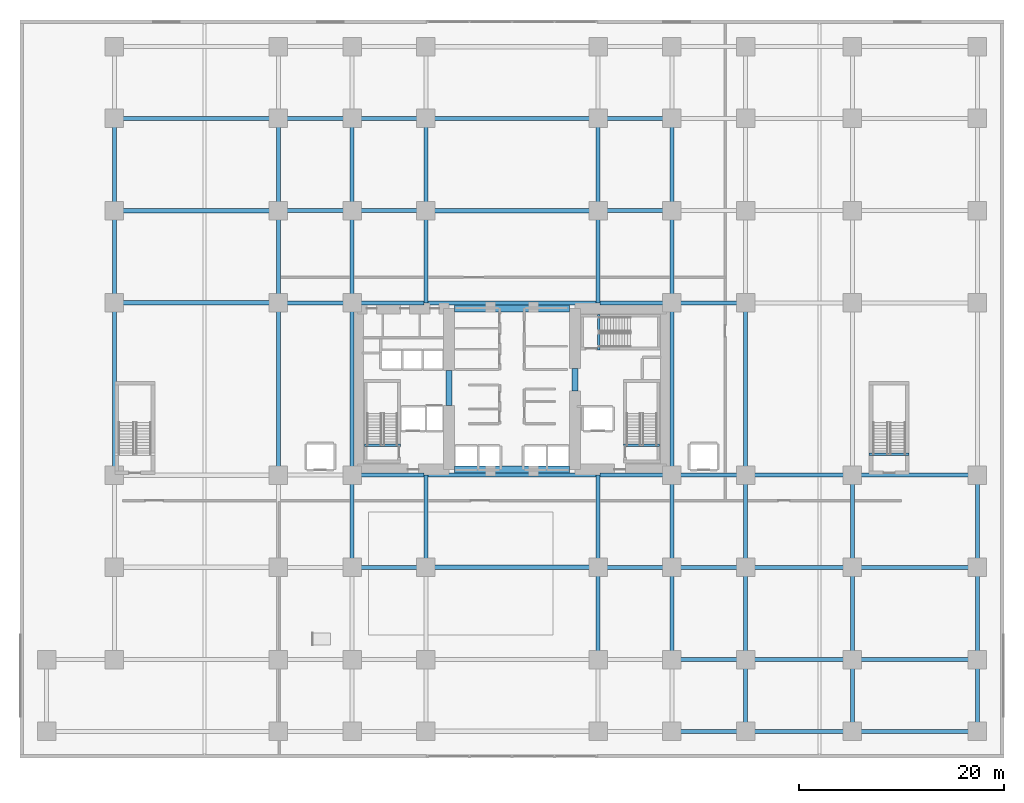
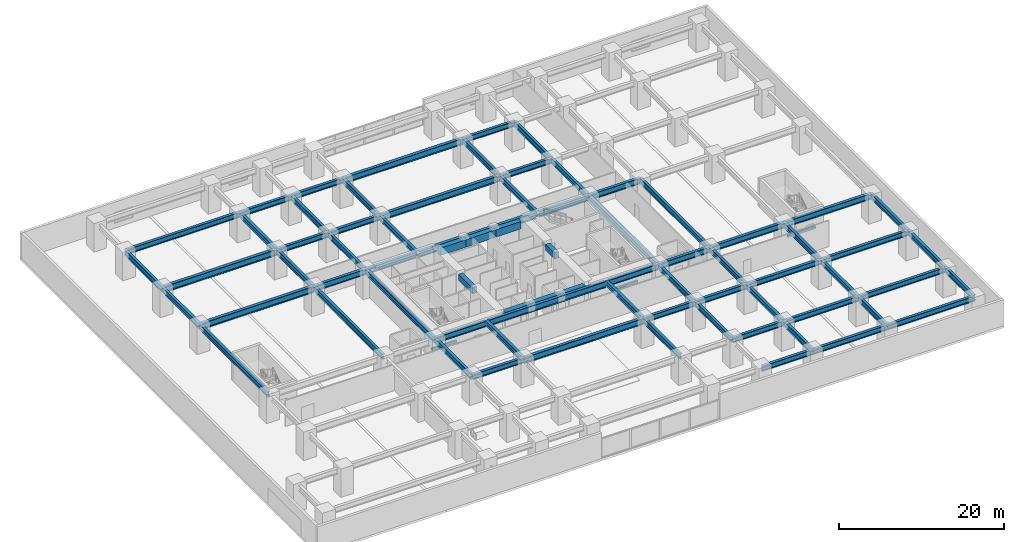
# One storey, part 5 of 22: 78 beams.
"""IFC4 building model written with IfcOpenShell, lengths in metres."""

from ifc_helpers import new_model, si_unit, direction, frame, origin, origin_2d, place, context, subcontext, project, spatial, rectangle, i_section, extrude, material, material_profile, profile_set, type_object, element, save


model = new_model("IFC4")

# Units and contexts
model_context = context("Model", 3, precision=1e-05, world=origin(), true_north=direction((0.0, 1.0)))
body_context = subcontext(model_context, "Body", "Model", "MODEL_VIEW")
ifc_project = project(units=[si_unit("LENGTHUNIT", "METRE"), si_unit("AREAUNIT", "SQUARE_METRE"), si_unit("VOLUMEUNIT", "CUBIC_METRE"), si_unit("PLANEANGLEUNIT", "RADIAN"), si_unit("MASSUNIT", "GRAM", prefix="KILO")], contexts=[model_context])

# Site, building, storey
site_placement = place(None, origin())
site = spatial("IfcSite", under=ifc_project, at=site_placement, CompositionType="ELEMENT")
building_placement = place(site_placement, origin())
building = spatial("IfcBuilding", under=site, at=building_placement, Name="Kiyonajd Concourse Tower", CompositionType="ELEMENT")
storey_placement = place(building_placement, frame((0.0, 0.0, 12.89990234375)))
storey = spatial("IfcBuildingStorey", under=building, at=storey_placement, Name="L04", CompositionType="ELEMENT", Elevation=12.89990234375)

# Beams
ifc_material_1 = material(Name="Steel ASTM A992 Grade 50", Category="steel")
ifc_material_profile_1 = material_profile(ifc_material_1, i_section(OverallWidth=0.423095703125, OverallDepth=0.93310546875, WebThickness=0.02392578125, FlangeThickness=0.042724609375, at=origin_2d()), Name="W920X446")
ifc_profile_set_1 = profile_set([ifc_material_profile_1], Name="Steel ASTM A992 Grade 50")
beam_type_1 = type_object("IfcBeamType", Name="BM-AUD-920A", PredefinedType="BEAM", material=ifc_profile_set_1)
for number, where, z_axis, x_axis, name in (
    (1, (9.199951171875, 44.39990234375, 3.37353515625), (1.0, 0.0, 0.0), (0.0, 1.0, 0.0), "L04 Auditorium Clear Span Girder"),
    (2, (9.199951171875, 53.39990234375, 3.37353515625), (1.0, 0.0, 0.0), (0.0, 1.0, 0.0), "L04 Auditorium Clear Span Girder"),
):
    element("IfcBeam", number, at=place(storey_placement, frame(where, z_axis=z_axis, x_axis=x_axis)), inside=storey, type_object=beam_type_1, Name=name, PredefinedType="BEAM", context=body_context, shape_type="SweptSolid", body=[
        extrude(i_section(OverallWidth=0.423095703125, OverallDepth=0.93310546875, WebThickness=0.02392578125, FlangeThickness=0.042724609375, at=origin_2d()), origin(), (0.0, 0.0, 1.0), 16.0),
    ])
ifc_material_profile_2 = material_profile(ifc_material_1, i_section(OverallWidth=0.41796875, OverallDepth=0.912109375, WebThickness=0.019287109375, FlangeThickness=0.031982421875, at=origin_2d()), Name="W920X342")
ifc_profile_set_2 = profile_set([ifc_material_profile_2], Name="Steel ASTM A992 Grade 50")
beam_type_2 = type_object("IfcBeamType", Name="BM-CON-920B", PredefinedType="BEAM", material=ifc_profile_set_2)
beam_1_placement = place(storey_placement, frame((39.60009765625, 18.60009765625, 3.384033203125), z_axis=(1.0, 0.0, 0.0), x_axis=(0.0, 1.0, 0.0)))
element("IfcBeam", 3, at=beam_1_placement, inside=storey, type_object=beam_type_2, Name="L04 Concourse Clear Span Girder", PredefinedType="BEAM", context=body_context, shape_type="SweptSolid", body=[
    extrude(i_section(OverallWidth=0.41796875, OverallDepth=0.912109375, WebThickness=0.019287109375, FlangeThickness=0.031982421875, at=origin_2d()), origin(), (0.0, 0.0, 1.0), 16.7998046875),
])
for number, where, z_axis, x_axis, name in (
    (4, (39.79052734375, 27.60009765625, 3.384033203125), (1.0, 0.0, 0.0), (0.0, 1.0, 0.0), "L04 Concourse Clear Span Girder"),
    (5, (39.79052734375, 44.39990234375, 3.384033203125), (1.0, 0.0, 0.0), (0.0, 1.0, 0.0), "L04 Concourse Clear Span Girder"),
):
    element("IfcBeam", number, at=place(storey_placement, frame(where, z_axis=z_axis, x_axis=x_axis)), inside=storey, type_object=beam_type_2, Name=name, PredefinedType="BEAM", context=body_context, shape_type="SweptSolid", body=[
        extrude(i_section(OverallWidth=0.41796875, OverallDepth=0.912109375, WebThickness=0.019287109375, FlangeThickness=0.031982421875, at=origin_2d()), origin(), (0.0, 0.0, 1.0), 16.4189453125),
    ])
for number, where, z_axis, x_axis, name in (
    (6, (39.60009765625, 53.39990234375, 3.384033203125), (1.0, 0.0, 0.0), (0.0, 1.0, 0.0), "L04 Concourse Clear Span Girder"),
    (7, (39.60009765625, 62.39990234375, 3.384033203125), (1.0, 0.0, 0.0), (0.0, 1.0, 0.0), "L04 Concourse Clear Span Girder"),
):
    element("IfcBeam", number, at=place(storey_placement, frame(where, z_axis=z_axis, x_axis=x_axis)), inside=storey, type_object=beam_type_2, Name=name, PredefinedType="BEAM", context=body_context, shape_type="SweptSolid", body=[
        extrude(i_section(OverallWidth=0.41796875, OverallDepth=0.912109375, WebThickness=0.019287109375, FlangeThickness=0.031982421875, at=origin_2d()), origin(), (0.0, 0.0, 1.0), 16.7998046875),
    ])
ifc_material_2 = material(Name="Concrete C70/85", Category="concrete")
ifc_material_profile_3 = material_profile(ifc_material_2, rectangle(XDim=0.699951171875, YDim=1.10009765625, at=origin_2d()), Name="RCBM-700x1100")
ifc_profile_set_3 = profile_set([ifc_material_profile_3], Name="Concrete C70/85")
beam_type_3 = type_object("IfcBeamType", Name="BM-COUP-1100", PredefinedType="LINTEL", material=ifc_profile_set_3)
beam_2_placement = place(storey_placement, frame((42.39990234375, 28.14990234375, 3.2900390625), z_axis=(1.0, 0.0, 0.0), x_axis=(0.0, 1.0, 0.0)))
element("IfcBeam", 8, at=beam_2_placement, inside=storey, type_object=beam_type_3, Name="L04 Core Coupling Beam S1", PredefinedType="LINTEL", context=body_context, shape_type="SweptSolid", body=[
    extrude(rectangle(XDim=0.699951171875, YDim=1.10009765625, at=origin_2d()), origin(), (0.0, 0.0, 1.0), 3.5),
])
beam_3_placement = place(storey_placement, frame((45.89990234375, 28.14990234375, 3.2900390625), z_axis=(1.0, 0.0, 0.0), x_axis=(0.0, 1.0, 0.0)))
element("IfcBeam", 9, at=beam_3_placement, inside=storey, type_object=beam_type_3, Name="L04 Core Coupling Beam S2", PredefinedType="LINTEL", context=body_context, shape_type="SweptSolid", body=[
    extrude(rectangle(XDim=0.699951171875, YDim=1.10009765625, at=origin_2d()), origin(), (0.0, 0.0, 1.0), 4.2001953125),
])
for number, where, z_axis, x_axis, name in (
    (10, (50.10009765625, 28.14990234375, 3.2900390625), (1.0, 0.0, 0.0), (0.0, 1.0, 0.0), "L04 Core Coupling Beam S3"),
    (11, (42.39990234375, 43.85009765625, 3.2900390625), (1.0, 0.0, 0.0), (0.0, 1.0, 0.0), "L04 Core Coupling Beam N1"),
):
    element("IfcBeam", number, at=place(storey_placement, frame(where, z_axis=z_axis, x_axis=x_axis)), inside=storey, type_object=beam_type_3, Name=name, PredefinedType="LINTEL", context=body_context, shape_type="SweptSolid", body=[
        extrude(rectangle(XDim=0.699951171875, YDim=1.10009765625, at=origin_2d()), origin(), (0.0, 0.0, 1.0), 3.5),
    ])
beam_4_placement = place(storey_placement, frame((45.89990234375, 43.85009765625, 3.2900390625), z_axis=(1.0, 0.0, 0.0), x_axis=(0.0, 1.0, 0.0)))
element("IfcBeam", 12, at=beam_4_placement, inside=storey, type_object=beam_type_3, Name="L04 Core Coupling Beam N2", PredefinedType="LINTEL", context=body_context, shape_type="SweptSolid", body=[
    extrude(rectangle(XDim=0.699951171875, YDim=1.10009765625, at=origin_2d()), origin(), (0.0, 0.0, 1.0), 4.2001953125),
])
beam_5_placement = place(storey_placement, frame((50.10009765625, 43.85009765625, 3.2900390625), z_axis=(1.0, 0.0, 0.0), x_axis=(0.0, 1.0, 0.0)))
element("IfcBeam", 13, at=beam_5_placement, inside=storey, type_object=beam_type_3, Name="L04 Core Coupling Beam N3", PredefinedType="LINTEL", context=body_context, shape_type="SweptSolid", body=[
    extrude(rectangle(XDim=0.699951171875, YDim=1.10009765625, at=origin_2d()), origin(), (0.0, 0.0, 1.0), 3.5),
])
ifc_material_3 = material(Name="Concrete C60/75", Category="concrete")
ifc_material_profile_4 = material_profile(ifc_material_3, rectangle(XDim=0.60009765625, YDim=0.89990234375, at=origin_2d()), Name="RCBM-600x900")
ifc_profile_set_4 = profile_set([ifc_material_profile_4], Name="Concrete C60/75")
beam_type_4 = type_object("IfcBeamType", Name="BM-COUP-900", PredefinedType="LINTEL", material=ifc_profile_set_4)
beam_6_placement = place(storey_placement, frame((41.85009765625, 34.39990234375, 3.2900390625), z_axis=(0.0, 1.0, 0.0), x_axis=(-1.0, 0.0, 0.0)))
element("IfcBeam", 14, at=beam_6_placement, inside=storey, type_object=beam_type_4, Name="L04 West Core Throat Coupling Lintel", PredefinedType="LINTEL", context=body_context, shape_type="SweptSolid", body=[
    extrude(rectangle(XDim=0.60009765625, YDim=0.89990234375, at=origin_2d()), origin(), (0.0, 0.0, 1.0), 3.400146484375),
])
beam_7_placement = place(storey_placement, frame((54.14990234375, 35.800048828125, 3.2900390625), z_axis=(0.0, 1.0, 0.0), x_axis=(-1.0, 0.0, 0.0)))
element("IfcBeam", 15, at=beam_7_placement, inside=storey, type_object=beam_type_4, Name="L04 East Core Throat Coupling Lintel", PredefinedType="LINTEL", context=body_context, shape_type="SweptSolid", body=[
    extrude(rectangle(XDim=0.60009765625, YDim=0.89990234375, at=origin_2d()), origin(), (0.0, 0.0, 1.0), 2.199951171875),
])
ifc_material_4 = material(Name="Concrete C50/60", Category="concrete")
ifc_material_profile_5 = material_profile(ifc_material_4, rectangle(XDim=0.239990234375, YDim=0.320068359375, at=origin_2d()), Name="RCBM-240x320")
ifc_profile_set_5 = profile_set([ifc_material_profile_5], Name="Concrete C50/60")
beam_type_5 = type_object("IfcBeamType", Name="BM-LNT-250", PredefinedType="LINTEL", material=ifc_profile_set_5)
for number, where, z_axis, x_axis, name in (
    (16, (33.590087890625, 30.530029296875, -0.159912109375), (1.0, 0.0, 0.0), (0.0, 1.0, 0.0), "L04 Stair ST1 Threshold Support Beam"),
    (17, (58.889892578125, 30.530029296875, -0.159912109375), (1.0, 0.0, 0.0), (0.0, 1.0, 0.0), "L04 Stair ST2 Threshold Support Beam"),
):
    element("IfcBeam", number, at=place(storey_placement, frame(where, z_axis=z_axis, x_axis=x_axis)), inside=storey, type_object=beam_type_5, Name=name, PredefinedType="LINTEL", context=body_context, shape_type="SweptSolid", body=[
        extrude(rectangle(XDim=0.239990234375, YDim=0.320068359375, at=origin_2d()), origin(), (0.0, 0.0, 1.0), 3.52001953125),
    ])
beam_8_placement = place(storey_placement, frame((56.4599609375, 39.820068359375, -0.159912109375), z_axis=(0.0, 1.0, 0.0), x_axis=(-1.0, 0.0, 0.0)))
element("IfcBeam", 18, at=beam_8_placement, inside=storey, type_object=beam_type_5, Name="L04 Stair ST3 Threshold Support Beam", PredefinedType="LINTEL", context=body_context, shape_type="SweptSolid", body=[
    extrude(rectangle(XDim=0.239990234375, YDim=0.320068359375, at=origin_2d()), origin(), (0.0, 0.0, 1.0), 3.4599609375),
])
beam_9_placement = place(storey_placement, frame((82.85009765625, 29.6298828125, -0.159912109375), z_axis=(1.0, 0.0, 0.0), x_axis=(0.0, 1.0, 0.0)))
element("IfcBeam", 19, at=beam_9_placement, inside=storey, type_object=beam_type_5, Name="L04 Stair ST5 Threshold Support Beam", PredefinedType="LINTEL", context=body_context, shape_type="SweptSolid", body=[
    extrude(rectangle(XDim=0.239990234375, YDim=0.320068359375, at=origin_2d()), origin(), (0.0, 0.0, 1.0), 3.89990234375),
])
ifc_material_profile_6 = material_profile(ifc_material_1, i_section(OverallWidth=0.381103515625, OverallDepth=0.77294921875, WebThickness=0.0166015625, FlangeThickness=0.027099609375, at=origin_2d()), Name="W760X257")
ifc_profile_set_6 = profile_set([ifc_material_profile_6], Name="Steel ASTM A992 Grade 50")
beam_type_6 = type_object("IfcBeamType", Name="BM-POD-760", PredefinedType="BEAM", material=ifc_profile_set_6)
beam_10_placement = place(storey_placement, frame((63.60009765625, 2.60009765625, 3.45361328125), z_axis=(1.0, 0.0, 0.0), x_axis=(0.0, 1.0, 0.0)))
element("IfcBeam", 20, at=beam_10_placement, inside=storey, type_object=beam_type_6, Name="L04 Podium Primary Beam", PredefinedType="BEAM", context=body_context, shape_type="SweptSolid", body=[
    extrude(i_section(OverallWidth=0.381103515625, OverallDepth=0.77294921875, WebThickness=0.0166015625, FlangeThickness=0.027099609375, at=origin_2d()), origin(), (0.0, 0.0, 1.0), 7.199951171875),
])
beam_11_placement = place(storey_placement, frame((70.800048828125, 2.60009765625, 3.45361328125), z_axis=(1.0, 0.0, 0.0), x_axis=(0.0, 1.0, 0.0)))
element("IfcBeam", 21, at=beam_11_placement, inside=storey, type_object=beam_type_6, Name="L04 Podium Primary Beam", PredefinedType="BEAM", context=body_context, shape_type="SweptSolid", body=[
    extrude(i_section(OverallWidth=0.381103515625, OverallDepth=0.77294921875, WebThickness=0.0166015625, FlangeThickness=0.027099609375, at=origin_2d()), origin(), (0.0, 0.0, 1.0), 10.39990234375),
])
beam_12_placement = place(storey_placement, frame((81.199951171875, 2.60009765625, 3.45361328125), z_axis=(1.0, 0.0, 0.0), x_axis=(0.0, 1.0, 0.0)))
element("IfcBeam", 22, at=beam_12_placement, inside=storey, type_object=beam_type_6, Name="L04 Podium Primary Beam", PredefinedType="BEAM", context=body_context, shape_type="SweptSolid", body=[
    extrude(i_section(OverallWidth=0.381103515625, OverallDepth=0.77294921875, WebThickness=0.0166015625, FlangeThickness=0.027099609375, at=origin_2d()), origin(), (0.0, 0.0, 1.0), 12.199951171875),
])
beam_13_placement = place(storey_placement, frame((63.60009765625, 9.60009765625, 3.45361328125), z_axis=(1.0, 0.0, 0.0), x_axis=(0.0, 1.0, 0.0)))
element("IfcBeam", 23, at=beam_13_placement, inside=storey, type_object=beam_type_6, Name="L04 Podium Primary Beam", PredefinedType="BEAM", context=body_context, shape_type="SweptSolid", body=[
    extrude(i_section(OverallWidth=0.381103515625, OverallDepth=0.77294921875, WebThickness=0.0166015625, FlangeThickness=0.027099609375, at=origin_2d()), origin(), (0.0, 0.0, 1.0), 7.199951171875),
])
beam_14_placement = place(storey_placement, frame((70.800048828125, 9.60009765625, 3.45361328125), z_axis=(1.0, 0.0, 0.0), x_axis=(0.0, 1.0, 0.0)))
element("IfcBeam", 24, at=beam_14_placement, inside=storey, type_object=beam_type_6, Name="L04 Podium Primary Beam", PredefinedType="BEAM", context=body_context, shape_type="SweptSolid", body=[
    extrude(i_section(OverallWidth=0.381103515625, OverallDepth=0.77294921875, WebThickness=0.0166015625, FlangeThickness=0.027099609375, at=origin_2d()), origin(), (0.0, 0.0, 1.0), 10.39990234375),
])
beam_15_placement = place(storey_placement, frame((81.199951171875, 9.60009765625, 3.45361328125), z_axis=(1.0, 0.0, 0.0), x_axis=(0.0, 1.0, 0.0)))
element("IfcBeam", 25, at=beam_15_placement, inside=storey, type_object=beam_type_6, Name="L04 Podium Primary Beam", PredefinedType="BEAM", context=body_context, shape_type="SweptSolid", body=[
    extrude(i_section(OverallWidth=0.381103515625, OverallDepth=0.77294921875, WebThickness=0.0166015625, FlangeThickness=0.027099609375, at=origin_2d()), origin(), (0.0, 0.0, 1.0), 12.199951171875),
])
for number, where, z_axis, x_axis, name in (
    (26, (32.39990234375, 18.60009765625, 3.45361328125), (1.0, 0.0, 0.0), (0.0, 1.0, 0.0), "L04 Podium Primary Beam"),
    (27, (56.39990234375, 18.60009765625, 3.45361328125), (1.0, 0.0, 0.0), (0.0, 1.0, 0.0), "L04 Podium Primary Beam"),
):
    element("IfcBeam", number, at=place(storey_placement, frame(where, z_axis=z_axis, x_axis=x_axis)), inside=storey, type_object=beam_type_6, Name=name, PredefinedType="BEAM", context=body_context, shape_type="SweptSolid", body=[
        extrude(i_section(OverallWidth=0.381103515625, OverallDepth=0.77294921875, WebThickness=0.0166015625, FlangeThickness=0.027099609375, at=origin_2d()), origin(), (0.0, 0.0, 1.0), 7.2001953125),
    ])
beam_16_placement = place(storey_placement, frame((63.60009765625, 18.60009765625, 3.45361328125), z_axis=(1.0, 0.0, 0.0), x_axis=(0.0, 1.0, 0.0)))
element("IfcBeam", 28, at=beam_16_placement, inside=storey, type_object=beam_type_6, Name="L04 Podium Primary Beam", PredefinedType="BEAM", context=body_context, shape_type="SweptSolid", body=[
    extrude(i_section(OverallWidth=0.381103515625, OverallDepth=0.77294921875, WebThickness=0.0166015625, FlangeThickness=0.027099609375, at=origin_2d()), origin(), (0.0, 0.0, 1.0), 7.199951171875),
])
beam_17_placement = place(storey_placement, frame((70.800048828125, 18.60009765625, 3.45361328125), z_axis=(1.0, 0.0, 0.0), x_axis=(0.0, 1.0, 0.0)))
element("IfcBeam", 29, at=beam_17_placement, inside=storey, type_object=beam_type_6, Name="L04 Podium Primary Beam", PredefinedType="BEAM", context=body_context, shape_type="SweptSolid", body=[
    extrude(i_section(OverallWidth=0.381103515625, OverallDepth=0.77294921875, WebThickness=0.0166015625, FlangeThickness=0.027099609375, at=origin_2d()), origin(), (0.0, 0.0, 1.0), 10.39990234375),
])
beam_18_placement = place(storey_placement, frame((81.199951171875, 18.60009765625, 3.45361328125), z_axis=(1.0, 0.0, 0.0), x_axis=(0.0, 1.0, 0.0)))
element("IfcBeam", 30, at=beam_18_placement, inside=storey, type_object=beam_type_6, Name="L04 Podium Primary Beam", PredefinedType="BEAM", context=body_context, shape_type="SweptSolid", body=[
    extrude(i_section(OverallWidth=0.381103515625, OverallDepth=0.77294921875, WebThickness=0.0166015625, FlangeThickness=0.027099609375, at=origin_2d()), origin(), (0.0, 0.0, 1.0), 12.199951171875),
])
beam_19_placement = place(storey_placement, frame((25.199951171875, 53.39990234375, 3.45361328125), z_axis=(1.0, 0.0, 0.0), x_axis=(0.0, 1.0, 0.0)))
element("IfcBeam", 31, at=beam_19_placement, inside=storey, type_object=beam_type_6, Name="L04 Podium Primary Beam", PredefinedType="BEAM", context=body_context, shape_type="SweptSolid", body=[
    extrude(i_section(OverallWidth=0.381103515625, OverallDepth=0.77294921875, WebThickness=0.0166015625, FlangeThickness=0.027099609375, at=origin_2d()), origin(), (0.0, 0.0, 1.0), 7.199951171875),
])
for number, where, z_axis, x_axis, name in (
    (32, (32.39990234375, 53.39990234375, 3.45361328125), (1.0, 0.0, 0.0), (0.0, 1.0, 0.0), "L04 Podium Primary Beam"),
    (33, (56.39990234375, 53.39990234375, 3.45361328125), (1.0, 0.0, 0.0), (0.0, 1.0, 0.0), "L04 Podium Primary Beam"),
):
    element("IfcBeam", number, at=place(storey_placement, frame(where, z_axis=z_axis, x_axis=x_axis)), inside=storey, type_object=beam_type_6, Name=name, PredefinedType="BEAM", context=body_context, shape_type="SweptSolid", body=[
        extrude(i_section(OverallWidth=0.381103515625, OverallDepth=0.77294921875, WebThickness=0.0166015625, FlangeThickness=0.027099609375, at=origin_2d()), origin(), (0.0, 0.0, 1.0), 7.2001953125),
    ])
beam_20_placement = place(storey_placement, frame((9.199951171875, 62.39990234375, 3.45361328125), z_axis=(1.0, 0.0, 0.0), x_axis=(0.0, 1.0, 0.0)))
element("IfcBeam", 34, at=beam_20_placement, inside=storey, type_object=beam_type_6, Name="L04 Podium Primary Beam", PredefinedType="BEAM", context=body_context, shape_type="SweptSolid", body=[
    extrude(i_section(OverallWidth=0.381103515625, OverallDepth=0.77294921875, WebThickness=0.0166015625, FlangeThickness=0.027099609375, at=origin_2d()), origin(), (0.0, 0.0, 1.0), 16.0),
])
beam_21_placement = place(storey_placement, frame((25.199951171875, 62.39990234375, 3.45361328125), z_axis=(1.0, 0.0, 0.0), x_axis=(0.0, 1.0, 0.0)))
element("IfcBeam", 35, at=beam_21_placement, inside=storey, type_object=beam_type_6, Name="L04 Podium Primary Beam", PredefinedType="BEAM", context=body_context, shape_type="SweptSolid", body=[
    extrude(i_section(OverallWidth=0.381103515625, OverallDepth=0.77294921875, WebThickness=0.0166015625, FlangeThickness=0.027099609375, at=origin_2d()), origin(), (0.0, 0.0, 1.0), 7.199951171875),
])
for number, where, z_axis, x_axis, name in (
    (36, (32.39990234375, 62.39990234375, 3.45361328125), (1.0, 0.0, 0.0), (0.0, 1.0, 0.0), "L04 Podium Primary Beam"),
    (37, (56.39990234375, 62.39990234375, 3.45361328125), (1.0, 0.0, 0.0), (0.0, 1.0, 0.0), "L04 Podium Primary Beam"),
):
    element("IfcBeam", number, at=place(storey_placement, frame(where, z_axis=z_axis, x_axis=x_axis)), inside=storey, type_object=beam_type_6, Name=name, PredefinedType="BEAM", context=body_context, shape_type="SweptSolid", body=[
        extrude(i_section(OverallWidth=0.381103515625, OverallDepth=0.77294921875, WebThickness=0.0166015625, FlangeThickness=0.027099609375, at=origin_2d()), origin(), (0.0, 0.0, 1.0), 7.2001953125),
    ])
beam_22_placement = place(storey_placement, frame((9.199951171875, 27.60009765625, 3.45361328125), z_axis=(0.0, 1.0, 0.0), x_axis=(-1.0, 0.0, 0.0)))
element("IfcBeam", 38, at=beam_22_placement, inside=storey, type_object=beam_type_6, Name="L04 Podium North South Beam", PredefinedType="BEAM", context=body_context, shape_type="SweptSolid", body=[
    extrude(i_section(OverallWidth=0.381103515625, OverallDepth=0.77294921875, WebThickness=0.0166015625, FlangeThickness=0.027099609375, at=origin_2d()), origin(), (0.0, 0.0, 1.0), 16.7998046875),
])
for number, where, z_axis, x_axis, name in (
    (39, (9.199951171875, 44.39990234375, 3.45361328125), (0.0, 1.0, 0.0), (-1.0, 0.0, 0.0), "L04 Podium North South Beam"),
    (40, (9.199951171875, 53.39990234375, 3.45361328125), (0.0, 1.0, 0.0), (-1.0, 0.0, 0.0), "L04 Podium North South Beam"),
):
    element("IfcBeam", number, at=place(storey_placement, frame(where, z_axis=z_axis, x_axis=x_axis)), inside=storey, type_object=beam_type_6, Name=name, PredefinedType="BEAM", context=body_context, shape_type="SweptSolid", body=[
        extrude(i_section(OverallWidth=0.381103515625, OverallDepth=0.77294921875, WebThickness=0.0166015625, FlangeThickness=0.027099609375, at=origin_2d()), origin(), (0.0, 0.0, 1.0), 9.0),
    ])
beam_23_placement = place(storey_placement, frame((25.199951171875, 27.60009765625, 3.45361328125), z_axis=(0.0, 1.0, 0.0), x_axis=(-1.0, 0.0, 0.0)))
element("IfcBeam", 41, at=beam_23_placement, inside=storey, type_object=beam_type_6, Name="L04 Podium North South Beam", PredefinedType="BEAM", context=body_context, shape_type="SweptSolid", body=[
    extrude(i_section(OverallWidth=0.381103515625, OverallDepth=0.77294921875, WebThickness=0.0166015625, FlangeThickness=0.027099609375, at=origin_2d()), origin(), (0.0, 0.0, 1.0), 16.7998046875),
])
for number, where, z_axis, x_axis, name in (
    (42, (25.199951171875, 44.39990234375, 3.45361328125), (0.0, 1.0, 0.0), (-1.0, 0.0, 0.0), "L04 Podium North South Beam"),
    (43, (25.199951171875, 53.39990234375, 3.45361328125), (0.0, 1.0, 0.0), (-1.0, 0.0, 0.0), "L04 Podium North South Beam"),
    (44, (32.39990234375, 18.60009765625, 3.45361328125), (0.0, 1.0, 0.0), (-1.0, 0.0, 0.0), "L04 Podium North South Beam"),
):
    element("IfcBeam", number, at=place(storey_placement, frame(where, z_axis=z_axis, x_axis=x_axis)), inside=storey, type_object=beam_type_6, Name=name, PredefinedType="BEAM", context=body_context, shape_type="SweptSolid", body=[
        extrude(i_section(OverallWidth=0.381103515625, OverallDepth=0.77294921875, WebThickness=0.0166015625, FlangeThickness=0.027099609375, at=origin_2d()), origin(), (0.0, 0.0, 1.0), 9.0),
    ])
beam_24_placement = place(storey_placement, frame((32.39990234375, 27.60009765625, 3.45361328125), z_axis=(0.0, 1.0, 0.0), x_axis=(-1.0, 0.0, 0.0)))
element("IfcBeam", 45, at=beam_24_placement, inside=storey, type_object=beam_type_6, Name="L04 Podium North South Beam", PredefinedType="BEAM", context=body_context, shape_type="SweptSolid", body=[
    extrude(i_section(OverallWidth=0.381103515625, OverallDepth=0.77294921875, WebThickness=0.0166015625, FlangeThickness=0.027099609375, at=origin_2d()), origin(), (0.0, 0.0, 1.0), 16.7998046875),
])
for number, where, z_axis, x_axis, name in (
    (46, (32.39990234375, 44.39990234375, 3.45361328125), (0.0, 1.0, 0.0), (-1.0, 0.0, 0.0), "L04 Podium North South Beam"),
    (47, (32.39990234375, 53.39990234375, 3.45361328125), (0.0, 1.0, 0.0), (-1.0, 0.0, 0.0), "L04 Podium North South Beam"),
    (48, (39.60009765625, 18.60009765625, 3.45361328125), (0.0, 1.0, 0.0), (-1.0, 0.0, 0.0), "L04 Podium North South Beam"),
    (49, (39.60009765625, 44.39990234375, 3.45361328125), (0.0, 1.0, 0.0), (-1.0, 0.0, 0.0), "L04 Podium North South Beam"),
    (50, (39.60009765625, 53.39990234375, 3.45361328125), (0.0, 1.0, 0.0), (-1.0, 0.0, 0.0), "L04 Podium North South Beam"),
    (51, (56.39990234375, 9.60009765625, 3.45361328125), (0.0, 1.0, 0.0), (-1.0, 0.0, 0.0), "L04 Podium North South Beam"),
    (52, (56.39990234375, 18.60009765625, 3.45361328125), (0.0, 1.0, 0.0), (-1.0, 0.0, 0.0), "L04 Podium North South Beam"),
    (53, (56.39990234375, 44.39990234375, 3.45361328125), (0.0, 1.0, 0.0), (-1.0, 0.0, 0.0), "L04 Podium North South Beam"),
    (54, (56.39990234375, 53.39990234375, 3.45361328125), (0.0, 1.0, 0.0), (-1.0, 0.0, 0.0), "L04 Podium North South Beam"),
    (55, (63.60009765625, 9.60009765625, 3.45361328125), (0.0, 1.0, 0.0), (-1.0, 0.0, 0.0), "L04 Podium North South Beam"),
    (56, (63.60009765625, 18.60009765625, 3.45361328125), (0.0, 1.0, 0.0), (-1.0, 0.0, 0.0), "L04 Podium North South Beam"),
):
    element("IfcBeam", number, at=place(storey_placement, frame(where, z_axis=z_axis, x_axis=x_axis)), inside=storey, type_object=beam_type_6, Name=name, PredefinedType="BEAM", context=body_context, shape_type="SweptSolid", body=[
        extrude(i_section(OverallWidth=0.381103515625, OverallDepth=0.77294921875, WebThickness=0.0166015625, FlangeThickness=0.027099609375, at=origin_2d()), origin(), (0.0, 0.0, 1.0), 9.0),
    ])
beam_25_placement = place(storey_placement, frame((63.60009765625, 27.60009765625, 3.45361328125), z_axis=(0.0, 1.0, 0.0), x_axis=(-1.0, 0.0, 0.0)))
element("IfcBeam", 57, at=beam_25_placement, inside=storey, type_object=beam_type_6, Name="L04 Podium North South Beam", PredefinedType="BEAM", context=body_context, shape_type="SweptSolid", body=[
    extrude(i_section(OverallWidth=0.381103515625, OverallDepth=0.77294921875, WebThickness=0.0166015625, FlangeThickness=0.027099609375, at=origin_2d()), origin(), (0.0, 0.0, 1.0), 16.7998046875),
])
for number, where, z_axis, x_axis, name in (
    (58, (63.60009765625, 44.39990234375, 3.45361328125), (0.0, 1.0, 0.0), (-1.0, 0.0, 0.0), "L04 Podium North South Beam"),
    (59, (63.60009765625, 53.39990234375, 3.45361328125), (0.0, 1.0, 0.0), (-1.0, 0.0, 0.0), "L04 Podium North South Beam"),
):
    element("IfcBeam", number, at=place(storey_placement, frame(where, z_axis=z_axis, x_axis=x_axis)), inside=storey, type_object=beam_type_6, Name=name, PredefinedType="BEAM", context=body_context, shape_type="SweptSolid", body=[
        extrude(i_section(OverallWidth=0.381103515625, OverallDepth=0.77294921875, WebThickness=0.0166015625, FlangeThickness=0.027099609375, at=origin_2d()), origin(), (0.0, 0.0, 1.0), 9.0),
    ])
beam_26_placement = place(storey_placement, frame((70.800048828125, 2.60009765625, 3.45361328125), z_axis=(0.0, 1.0, 0.0), x_axis=(-1.0, 0.0, 0.0)))
element("IfcBeam", 60, at=beam_26_placement, inside=storey, type_object=beam_type_6, Name="L04 Podium North South Beam", PredefinedType="BEAM", context=body_context, shape_type="SweptSolid", body=[
    extrude(i_section(OverallWidth=0.381103515625, OverallDepth=0.77294921875, WebThickness=0.0166015625, FlangeThickness=0.027099609375, at=origin_2d()), origin(), (0.0, 0.0, 1.0), 7.0),
])
for number, where, z_axis, x_axis, name in (
    (61, (70.800048828125, 9.60009765625, 3.45361328125), (0.0, 1.0, 0.0), (-1.0, 0.0, 0.0), "L04 Podium North South Beam"),
    (62, (70.800048828125, 18.60009765625, 3.45361328125), (0.0, 1.0, 0.0), (-1.0, 0.0, 0.0), "L04 Podium North South Beam"),
):
    element("IfcBeam", number, at=place(storey_placement, frame(where, z_axis=z_axis, x_axis=x_axis)), inside=storey, type_object=beam_type_6, Name=name, PredefinedType="BEAM", context=body_context, shape_type="SweptSolid", body=[
        extrude(i_section(OverallWidth=0.381103515625, OverallDepth=0.77294921875, WebThickness=0.0166015625, FlangeThickness=0.027099609375, at=origin_2d()), origin(), (0.0, 0.0, 1.0), 9.0),
    ])
beam_27_placement = place(storey_placement, frame((70.800048828125, 27.60009765625, 3.45361328125), z_axis=(0.0, 1.0, 0.0), x_axis=(-1.0, 0.0, 0.0)))
element("IfcBeam", 63, at=beam_27_placement, inside=storey, type_object=beam_type_6, Name="L04 Podium North South Beam", PredefinedType="BEAM", context=body_context, shape_type="SweptSolid", body=[
    extrude(i_section(OverallWidth=0.381103515625, OverallDepth=0.77294921875, WebThickness=0.0166015625, FlangeThickness=0.027099609375, at=origin_2d()), origin(), (0.0, 0.0, 1.0), 16.7998046875),
])
beam_28_placement = place(storey_placement, frame((81.199951171875, 2.60009765625, 3.45361328125), z_axis=(0.0, 1.0, 0.0), x_axis=(-1.0, 0.0, 0.0)))
element("IfcBeam", 64, at=beam_28_placement, inside=storey, type_object=beam_type_6, Name="L04 Podium North South Beam", PredefinedType="BEAM", context=body_context, shape_type="SweptSolid", body=[
    extrude(i_section(OverallWidth=0.381103515625, OverallDepth=0.77294921875, WebThickness=0.0166015625, FlangeThickness=0.027099609375, at=origin_2d()), origin(), (0.0, 0.0, 1.0), 7.0),
])
for number, where, z_axis, x_axis, name in (
    (65, (81.199951171875, 9.60009765625, 3.45361328125), (0.0, 1.0, 0.0), (-1.0, 0.0, 0.0), "L04 Podium North South Beam"),
    (66, (81.199951171875, 18.60009765625, 3.45361328125), (0.0, 1.0, 0.0), (-1.0, 0.0, 0.0), "L04 Podium North South Beam"),
):
    element("IfcBeam", number, at=place(storey_placement, frame(where, z_axis=z_axis, x_axis=x_axis)), inside=storey, type_object=beam_type_6, Name=name, PredefinedType="BEAM", context=body_context, shape_type="SweptSolid", body=[
        extrude(i_section(OverallWidth=0.381103515625, OverallDepth=0.77294921875, WebThickness=0.0166015625, FlangeThickness=0.027099609375, at=origin_2d()), origin(), (0.0, 0.0, 1.0), 9.0),
    ])
beam_29_placement = place(storey_placement, frame((93.39990234375, 2.60009765625, 3.45361328125), z_axis=(0.0, 1.0, 0.0), x_axis=(-1.0, 0.0, 0.0)))
element("IfcBeam", 67, at=beam_29_placement, inside=storey, type_object=beam_type_6, Name="L04 Podium North South Beam", PredefinedType="BEAM", context=body_context, shape_type="SweptSolid", body=[
    extrude(i_section(OverallWidth=0.381103515625, OverallDepth=0.77294921875, WebThickness=0.0166015625, FlangeThickness=0.027099609375, at=origin_2d()), origin(), (0.0, 0.0, 1.0), 7.0),
])
for number, where, z_axis, x_axis, name in (
    (68, (93.39990234375, 9.60009765625, 3.45361328125), (0.0, 1.0, 0.0), (-1.0, 0.0, 0.0), "L04 Podium North South Beam"),
    (69, (93.39990234375, 18.60009765625, 3.45361328125), (0.0, 1.0, 0.0), (-1.0, 0.0, 0.0), "L04 Podium North South Beam"),
):
    element("IfcBeam", number, at=place(storey_placement, frame(where, z_axis=z_axis, x_axis=x_axis)), inside=storey, type_object=beam_type_6, Name=name, PredefinedType="BEAM", context=body_context, shape_type="SweptSolid", body=[
        extrude(i_section(OverallWidth=0.381103515625, OverallDepth=0.77294921875, WebThickness=0.0166015625, FlangeThickness=0.027099609375, at=origin_2d()), origin(), (0.0, 0.0, 1.0), 9.0),
    ])
ifc_material_profile_7 = material_profile(ifc_material_1, i_section(OverallWidth=0.39990234375, OverallDepth=0.85498046875, WebThickness=0.018310546875, FlangeThickness=0.029296875, at=origin_2d()), Name="W840X299")
ifc_profile_set_7 = profile_set([ifc_material_profile_7], Name="Steel ASTM A992 Grade 50")
beam_type_7 = type_object("IfcBeamType", Name="BM-POD-840", PredefinedType="BEAM", material=ifc_profile_set_7)
for number, where, z_axis, x_axis, name in (
    (70, (32.39990234375, 27.60009765625, 3.41259765625), (1.0, 0.0, 0.0), (0.0, 1.0, 0.0), "L04 Podium Primary Beam"),
    (71, (56.590576171875, 27.60009765625, 3.41259765625), (1.0, 0.0, 0.0), (0.0, 1.0, 0.0), "L04 Podium Primary Beam"),
):
    element("IfcBeam", number, at=place(storey_placement, frame(where, z_axis=z_axis, x_axis=x_axis)), inside=storey, type_object=beam_type_7, Name=name, PredefinedType="BEAM", context=body_context, shape_type="SweptSolid", body=[
        extrude(i_section(OverallWidth=0.39990234375, OverallDepth=0.85498046875, WebThickness=0.018310546875, FlangeThickness=0.029296875, at=origin_2d()), origin(), (0.0, 0.0, 1.0), 7.009521484375),
    ])
beam_30_placement = place(storey_placement, frame((63.60009765625, 27.60009765625, 3.41259765625), z_axis=(1.0, 0.0, 0.0), x_axis=(0.0, 1.0, 0.0)))
element("IfcBeam", 72, at=beam_30_placement, inside=storey, type_object=beam_type_7, Name="L04 Podium Primary Beam", PredefinedType="BEAM", context=body_context, shape_type="SweptSolid", body=[
    extrude(i_section(OverallWidth=0.39990234375, OverallDepth=0.85498046875, WebThickness=0.018310546875, FlangeThickness=0.029296875, at=origin_2d()), origin(), (0.0, 0.0, 1.0), 7.199951171875),
])
beam_31_placement = place(storey_placement, frame((70.800048828125, 27.60009765625, 3.41259765625), z_axis=(1.0, 0.0, 0.0), x_axis=(0.0, 1.0, 0.0)))
element("IfcBeam", 73, at=beam_31_placement, inside=storey, type_object=beam_type_7, Name="L04 Podium Primary Beam", PredefinedType="BEAM", context=body_context, shape_type="SweptSolid", body=[
    extrude(i_section(OverallWidth=0.39990234375, OverallDepth=0.85498046875, WebThickness=0.018310546875, FlangeThickness=0.029296875, at=origin_2d()), origin(), (0.0, 0.0, 1.0), 10.39990234375),
])
beam_32_placement = place(storey_placement, frame((81.199951171875, 27.60009765625, 3.41259765625), z_axis=(1.0, 0.0, 0.0), x_axis=(0.0, 1.0, 0.0)))
element("IfcBeam", 74, at=beam_32_placement, inside=storey, type_object=beam_type_7, Name="L04 Podium Primary Beam", PredefinedType="BEAM", context=body_context, shape_type="SweptSolid", body=[
    extrude(i_section(OverallWidth=0.39990234375, OverallDepth=0.85498046875, WebThickness=0.018310546875, FlangeThickness=0.029296875, at=origin_2d()), origin(), (0.0, 0.0, 1.0), 12.199951171875),
])
beam_33_placement = place(storey_placement, frame((25.199951171875, 44.39990234375, 3.41259765625), z_axis=(1.0, 0.0, 0.0), x_axis=(0.0, 1.0, 0.0)))
element("IfcBeam", 75, at=beam_33_placement, inside=storey, type_object=beam_type_7, Name="L04 Podium Primary Beam", PredefinedType="BEAM", context=body_context, shape_type="SweptSolid", body=[
    extrude(i_section(OverallWidth=0.39990234375, OverallDepth=0.85498046875, WebThickness=0.018310546875, FlangeThickness=0.029296875, at=origin_2d()), origin(), (0.0, 0.0, 1.0), 7.199951171875),
])
for number, where, z_axis, x_axis, name in (
    (76, (32.39990234375, 44.39990234375, 3.41259765625), (1.0, 0.0, 0.0), (0.0, 1.0, 0.0), "L04 Podium Primary Beam"),
    (77, (56.590576171875, 44.39990234375, 3.41259765625), (1.0, 0.0, 0.0), (0.0, 1.0, 0.0), "L04 Podium Primary Beam"),
):
    element("IfcBeam", number, at=place(storey_placement, frame(where, z_axis=z_axis, x_axis=x_axis)), inside=storey, type_object=beam_type_7, Name=name, PredefinedType="BEAM", context=body_context, shape_type="SweptSolid", body=[
        extrude(i_section(OverallWidth=0.39990234375, OverallDepth=0.85498046875, WebThickness=0.018310546875, FlangeThickness=0.029296875, at=origin_2d()), origin(), (0.0, 0.0, 1.0), 7.009521484375),
    ])
beam_34_placement = place(storey_placement, frame((63.60009765625, 44.39990234375, 3.41259765625), z_axis=(1.0, 0.0, 0.0), x_axis=(0.0, 1.0, 0.0)))
element("IfcBeam", 78, at=beam_34_placement, inside=storey, type_object=beam_type_7, Name="L04 Podium Primary Beam", PredefinedType="BEAM", context=body_context, shape_type="SweptSolid", body=[
    extrude(i_section(OverallWidth=0.39990234375, OverallDepth=0.85498046875, WebThickness=0.018310546875, FlangeThickness=0.029296875, at=origin_2d()), origin(), (0.0, 0.0, 1.0), 7.199951171875),
])

save(model, "model.ifc")
